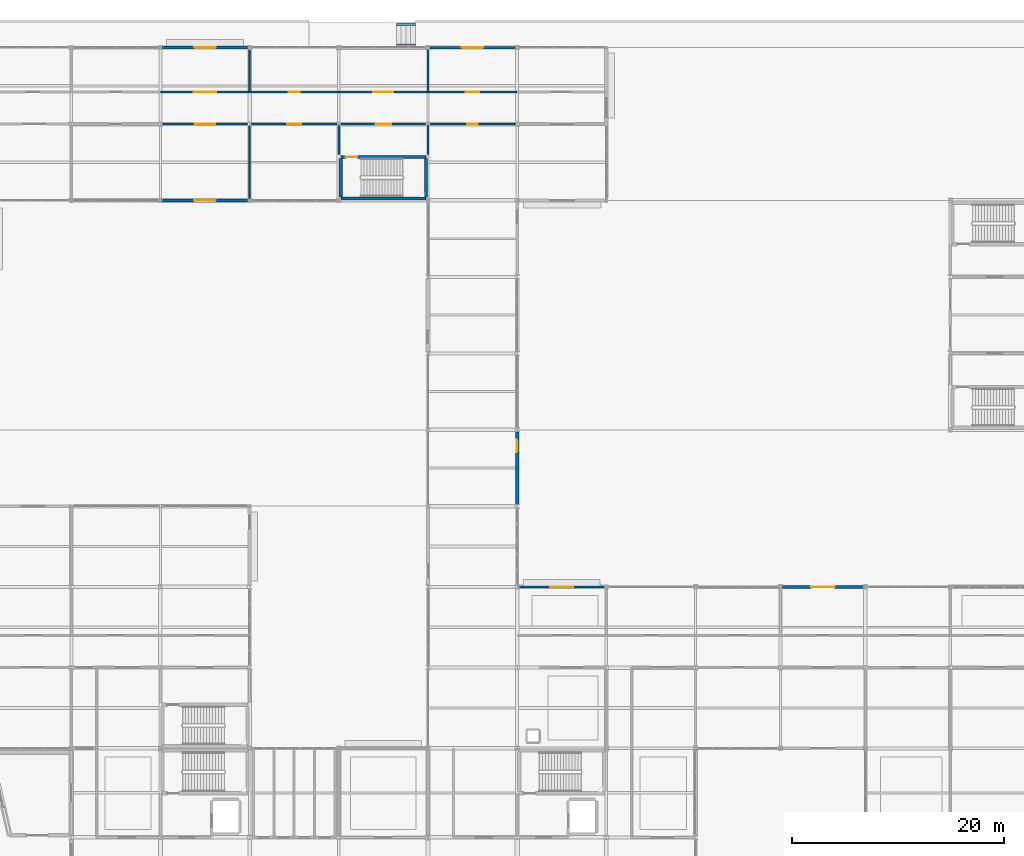
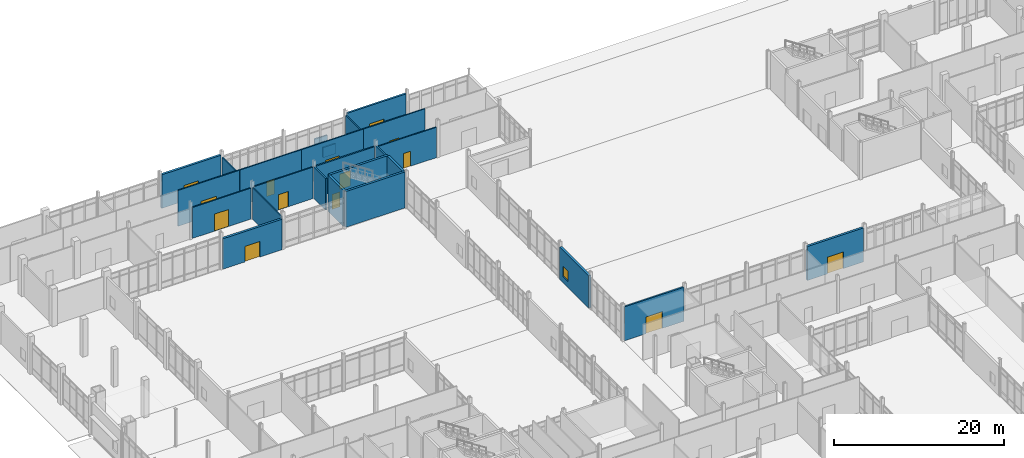
# One storey, part 196 of 229: 25 walls, 14 doors, 1 window, 15 openings.
"""IFC4 building model written with IfcOpenShell, lengths in metres."""

from ifc_helpers import new_model, si_unit, direction, frame, frame_2d, origin, place, context, subcontext, project, spatial, rectangle, extrude, material, layer, layer_set, type_object, element, fill, save


model = new_model("IFC4")

# Units and contexts
model_context = context("Model", 3, precision=1e-05, world=origin(), true_north=direction((0.0, 1.0)))
body_context = subcontext(model_context, "Body", "Model", "MODEL_VIEW")
ifc_project = project(units=[si_unit("LENGTHUNIT", "METRE"), si_unit("AREAUNIT", "SQUARE_METRE"), si_unit("VOLUMEUNIT", "CUBIC_METRE"), si_unit("PLANEANGLEUNIT", "RADIAN"), si_unit("MASSUNIT", "GRAM", prefix="KILO")], contexts=[model_context])

# Site, building, storey
site_placement = place(None, origin())
site = spatial("IfcSite", under=ifc_project, at=site_placement, CompositionType="ELEMENT")
building_placement = place(site_placement, origin())
building = spatial("IfcBuilding", under=site, at=building_placement, Name="Calvrana Isthmian Art Gallery", CompositionType="ELEMENT")
storey_placement = place(building_placement, origin())
storey = spatial("IfcBuildingStorey", under=building, at=storey_placement, Name="L00", CompositionType="ELEMENT", Elevation=0.0)

# Wall
ifc_material_1 = material(Name="Concrete C40/50", Category="concrete")
ifc_layer_1 = layer(ifc_material_1, 0.300048828125, Name="Concrete C40/50")
ifc_layer_set_1 = layer_set([ifc_layer_1], Name="Concrete C40/50")
wall_type_1 = type_object("IfcWallType", Name="CW-SHAFT-300", PredefinedType="SHEAR", material=ifc_layer_set_1)
wall_1_placement = place(storey_placement, frame((46.989990234375, 98.60009765625, 0.0), z_axis=(0.0, 0.0, 1.0), x_axis=(1.0, 0.0, 0.0)))
element("IfcWall", 1, at=wall_1_placement, inside=storey, type_object=wall_type_1, Name="Core C6 shear wall S L00", PredefinedType="SHEAR", context=body_context, shape_type="SweptSolid", body=[
    extrude(rectangle(XDim=8.02001953125, YDim=0.300048828125, at=frame_2d((4.010009765625, 0.0))), origin(), (0.0, 0.0, 1.0), 5.159912109375),
])

# Wall, opening, door
wall_2_placement = place(storey_placement, frame((46.989990234375, 102.5, 0.0), z_axis=(0.0, 0.0, 1.0), x_axis=(1.0, 0.0, 0.0)))
wall_2 = element("IfcWall", 2, at=wall_2_placement, inside=storey, type_object=wall_type_1, Name="Core C6 shear wall N L00", PredefinedType="SHEAR", context=body_context, shape_type="SweptSolid", body=[
    extrude(rectangle(XDim=8.02001953125, YDim=0.300048828125, at=frame_2d((4.010009765625, 0.0))), origin(), (0.0, 0.0, 1.0), 5.159912109375),
])
opening_1_placement = place(wall_2_placement, frame((0.449951171875, 0.0, 0.0)))
opening_1 = element("IfcOpeningElement", 3, at=opening_1_placement, cuts=wall_2, Name="Opening D-168", PredefinedType="OPENING", context=body_context, shape_type="SweptSolid", body=[
    extrude(rectangle(XDim=1.10009765625, YDim=2.14990234375, at=frame_2d((0.550048828125, 1.074951171875))), frame((0.0, 0.16015625, 0.0), z_axis=(0.0, -1.0, 0.0), x_axis=(1.0, 0.0, 0.0)), (0.0, 0.0, 1.0), 0.320556640625),
])
ifc_material_2 = material(Name="Steel ASTM A572 Gr 50", Category="steel")
door_type_1 = type_object("IfcDoorType", Name="DR-FIRE-1100", OperationType="NOTDEFINED", PredefinedType="DOOR", material=ifc_material_2)
door_1_placement = place(opening_1_placement, origin())
door_1 = element("IfcDoor", 4, at=door_1_placement, inside=storey, type_object=door_type_1, Name="Stair ST-6 fire door L00", OperationType="SINGLE_SWING_LEFT", OverallHeight=2.14990234375, OverallWidth=1.10009765625, PredefinedType="DOOR", context=body_context, shape_type="SweptSolid", body=[
    extrude(rectangle(XDim=1.10009765625, YDim=2.14990234375, at=frame_2d((0.550048828125, 1.074951171875))), frame((0.0, 0.02490234375, 0.0), z_axis=(0.0, -1.0, 0.0), x_axis=(1.0, 0.0, 0.0)), (0.0, 0.0, 1.0), 0.050048828125),
])
fill(opening_1, door_1)

# Walls
for number, where, z_axis, x_axis, name in (
    (5, (46.989990234375, 98.75, 0.0), (0.0, 0.0, 1.0), (0.0, 1.0, 0.0), "Core C6 shear wall W L00"),
    (6, (55.010009765625, 98.75, 0.0), (0.0, 0.0, 1.0), (0.0, 1.0, 0.0), "Core C6 shear wall E L00"),
):
    element("IfcWall", number, at=place(storey_placement, frame(where, z_axis=z_axis, x_axis=x_axis)), inside=storey, type_object=wall_type_1, Name=name, PredefinedType="SHEAR", context=body_context, shape_type="SweptSolid", body=[
        extrude(rectangle(XDim=3.60009765625, YDim=0.300048828125, at=frame_2d((1.800048828125, 0.0))), origin(), (0.0, 0.0, 1.0), 5.159912109375),
    ])

# Wall, opening, door
ifc_material_3 = material(Name="Precast concrete C40/50", Category="concrete")
ifc_layer_2 = layer(ifc_material_3, 0.219970703125, Name="Precast concrete C40/50")
ifc_layer_set_2 = layer_set([ifc_layer_2], Name="Precast concrete C40/50")
wall_type_2 = type_object("IfcWallType", Name="EW-ACOUST-220", PredefinedType="SOLIDWALL", material=ifc_layer_set_2)
wall_3_placement = place(storey_placement, frame((63.785400390625, 62.0, 0.0), z_axis=(0.0, 0.0, 1.0), x_axis=(1.0, 0.0, 0.0)))
wall_3 = element("IfcWall", 7, at=wall_3_placement, inside=storey, type_object=wall_type_2, Name="Exterior wall EW-015", PredefinedType="SOLIDWALL", context=body_context, shape_type="SweptSolid", body=[
    extrude(rectangle(XDim=8.030517578125, YDim=0.219970703125, at=frame_2d((4.01513671875, 0.0))), origin(), (0.0, 0.0, 1.0), 4.885986328125),
])
opening_2_placement = place(wall_3_placement, frame((2.915283203125, 0.0, 0.0)))
opening_2 = element("IfcOpeningElement", 8, at=opening_2_placement, cuts=wall_3, Name="Opening D-E08", PredefinedType="OPENING", context=body_context, shape_type="SweptSolid", body=[
    extrude(rectangle(XDim=2.199951171875, YDim=2.39990234375, at=frame_2d((1.10009765625, 1.199951171875))), frame((0.0, 0.1201171875, 0.0), z_axis=(0.0, -1.0, 0.0), x_axis=(1.0, 0.0, 0.0)), (0.0, 0.0, 1.0), 0.240478515625),
])
ifc_material_4 = material(Name="Anodized bronze aluminium 6063-T6", Category="aluminium")
door_type_2 = type_object("IfcDoorType", Name="DR-EXT-MAIN-2200", OperationType="DOUBLE_DOOR_SINGLE_SWING", PredefinedType="DOOR", material=ifc_material_4)
door_2_placement = place(opening_2_placement, origin())
door_2 = element("IfcDoor", 9, at=door_2_placement, inside=storey, type_object=door_type_2, Name="Main entrance pedestrian exit D-E08", OperationType="DOUBLE_DOOR_SINGLE_SWING", OverallHeight=2.39990234375, OverallWidth=2.199951171875, PredefinedType="DOOR", context=body_context, shape_type="SweptSolid", body=[
    extrude(rectangle(XDim=2.199951171875, YDim=2.39990234375, at=frame_2d((1.10009765625, 1.199951171875))), frame((0.0, 0.02490234375, 0.0), z_axis=(0.0, -1.0, 0.0), x_axis=(1.0, 0.0, 0.0)), (0.0, 0.0, 1.0), 0.050048828125),
])
fill(opening_2, door_2)

ifc_material_5 = material(Name="Pale Isthmian limestone", Category="masonry")
ifc_layer_3 = layer(ifc_material_5, 0.300048828125, Name="Pale Isthmian limestone")
ifc_layer_set_3 = layer_set([ifc_layer_3], Name="Pale Isthmian limestone")
wall_type_3 = type_object("IfcWallType", Name="EW-LIME-300", PredefinedType="SOLIDWALL", material=ifc_layer_set_3)
wall_4_placement = place(storey_placement, frame((88.58642578125, 62.0, 0.0), z_axis=(0.0, 0.0, 1.0), x_axis=(1.0, 0.0, 0.0)))
wall_4 = element("IfcWall", 10, at=wall_4_placement, inside=storey, type_object=wall_type_3, Name="Exterior wall EW-016", PredefinedType="SOLIDWALL", context=body_context, shape_type="SweptSolid", body=[
    extrude(rectangle(XDim=7.628173828125, YDim=0.300048828125, at=frame_2d((3.81396484375, 0.0))), origin(), (0.0, 0.0, 1.0), 4.885986328125),
])
opening_3_placement = place(wall_4_placement, frame((2.714111328125, 0.0, 0.0)))
opening_3 = element("IfcOpeningElement", 11, at=opening_3_placement, cuts=wall_4, Name="Opening D-E09", PredefinedType="OPENING", context=body_context, shape_type="SweptSolid", body=[
    extrude(rectangle(XDim=2.199951171875, YDim=2.39990234375, at=frame_2d((1.10009765625, 1.199951171875))), frame((0.0, 0.16015625, 0.0), z_axis=(0.0, -1.0, 0.0), x_axis=(1.0, 0.0, 0.0)), (0.0, 0.0, 1.0), 0.320556640625),
])
door_3_placement = place(opening_3_placement, origin())
door_3 = element("IfcDoor", 12, at=door_3_placement, inside=storey, type_object=door_type_2, Name="Main entrance pedestrian exit D-E09", OperationType="DOUBLE_DOOR_SINGLE_SWING", OverallHeight=2.39990234375, OverallWidth=2.199951171875, PredefinedType="DOOR", context=body_context, shape_type="SweptSolid", body=[
    extrude(rectangle(XDim=2.199951171875, YDim=2.39990234375, at=frame_2d((1.10009765625, 1.199951171875))), frame((0.0, 0.02490234375, 0.0), z_axis=(0.0, -1.0, 0.0), x_axis=(1.0, 0.0, 0.0)), (0.0, 0.0, 1.0), 0.050048828125),
])
fill(opening_3, door_3)

wall_5_placement = place(storey_placement, frame((38.214599609375, 98.39990234375, 0.0), z_axis=(0.0, 0.0, 1.0), x_axis=(-1.0, 0.0, 0.0)))
wall_5 = element("IfcWall", 13, at=wall_5_placement, inside=storey, type_object=wall_type_3, Name="Exterior wall EW-020", PredefinedType="SOLIDWALL", context=body_context, shape_type="SweptSolid", body=[
    extrude(rectangle(XDim=8.028076171875, YDim=0.300048828125, at=frame_2d((4.01416015625, 0.0))), origin(), (0.0, 0.0, 1.0), 4.3779296875),
])
opening_4_placement = place(wall_5_placement, frame((3.013916015625, 0.0, 0.0)))
opening_4 = element("IfcOpeningElement", 14, at=opening_4_placement, cuts=wall_5, Name="Opening D-E13", PredefinedType="OPENING", context=body_context, shape_type="SweptSolid", body=[
    extrude(rectangle(XDim=2.0, YDim=2.25, at=frame_2d((1.0, 1.125))), frame((0.0, 0.16015625, 0.0), z_axis=(0.0, -1.0, 0.0), x_axis=(1.0, 0.0, 0.0)), (0.0, 0.0, 1.0), 0.320556640625),
])
door_type_3 = type_object("IfcDoorType", Name="DR-EXT-EXIT-2000", OperationType="DOUBLE_DOOR_SINGLE_SWING", PredefinedType="DOOR", material=ifc_material_2)
door_4_placement = place(opening_4_placement, origin())
door_4 = element("IfcDoor", 15, at=door_4_placement, inside=storey, type_object=door_type_3, Name="Main entrance pedestrian exit D-E13", OperationType="DOUBLE_DOOR_SINGLE_SWING", OverallHeight=2.25, OverallWidth=2.0, PredefinedType="DOOR", context=body_context, shape_type="SweptSolid", body=[
    extrude(rectangle(XDim=2.0, YDim=2.25, at=frame_2d((1.0, 1.125))), frame((0.0, 0.02490234375, 0.0), z_axis=(0.0, -1.0, 0.0), x_axis=(1.0, 0.0, 0.0)), (0.0, 0.0, 1.0), 0.050048828125),
])
fill(opening_4, door_4)

wall_6_placement = place(storey_placement, frame((30.18408203125, 112.800048828125, 0.0), z_axis=(0.0, 0.0, 1.0), x_axis=(1.0, 0.0, 0.0)))
wall_6 = element("IfcWall", 16, at=wall_6_placement, inside=storey, type_object=wall_type_3, Name="Exterior wall EW-024", PredefinedType="SOLIDWALL", context=body_context, shape_type="SweptSolid", body=[
    extrude(rectangle(XDim=8.029296875, YDim=0.300048828125, at=frame_2d((4.0146484375, 0.0))), origin(), (0.0, 0.0, 1.0), 4.835205078125),
])
opening_5_placement = place(wall_6_placement, frame((3.014892578125, 0.0, 0.0)))
opening_5 = element("IfcOpeningElement", 17, at=opening_5_placement, cuts=wall_6, Name="Opening D-E15", PredefinedType="OPENING", context=body_context, shape_type="SweptSolid", body=[
    extrude(rectangle(XDim=2.0, YDim=2.25, at=frame_2d((1.0, 1.125))), frame((0.0, 0.16015625, 0.0), z_axis=(0.0, -1.0, 0.0), x_axis=(1.0, 0.0, 0.0)), (0.0, 0.0, 1.0), 0.320556640625),
])
door_5_placement = place(opening_5_placement, origin())
door_5 = element("IfcDoor", 18, at=door_5_placement, inside=storey, type_object=door_type_3, Name="Main entrance pedestrian exit D-E15", OperationType="DOUBLE_DOOR_SINGLE_SWING", OverallHeight=2.25, OverallWidth=2.0, PredefinedType="DOOR", context=body_context, shape_type="SweptSolid", body=[
    extrude(rectangle(XDim=2.0, YDim=2.25, at=frame_2d((1.0, 1.125))), frame((0.0, 0.02490234375, 0.0), z_axis=(0.0, -1.0, 0.0), x_axis=(1.0, 0.0, 0.0)), (0.0, 0.0, 1.0), 0.050048828125),
])
fill(opening_5, door_5)

# Wall, opening, window
wall_7_placement = place(storey_placement, frame((63.60009765625, 76.613525390625, 0.0), z_axis=(0.0, 0.0, 1.0), x_axis=(0.0, -1.0, 0.0)))
wall_7 = element("IfcWall", 19, at=wall_7_placement, inside=storey, type_object=wall_type_3, Name="Exterior wall EW-040", PredefinedType="SOLIDWALL", context=body_context, shape_type="SweptSolid", body=[
    extrude(rectangle(XDim=6.82958984375, YDim=0.300048828125, at=frame_2d((3.414794921875, 0.0))), origin(), (0.0, 0.0, 1.0), 4.677978515625),
])
opening_6_placement = place(wall_7_placement, frame((0.75, 0.0, 0.89990234375)))
opening_6 = element("IfcOpeningElement", 20, at=opening_6_placement, cuts=wall_7, Name="Opening W-012", PredefinedType="OPENING", context=body_context, shape_type="SweptSolid", body=[
    extrude(rectangle(XDim=1.199951171875, YDim=1.5, at=frame_2d((0.60009765625, 0.75))), frame((0.0, 0.16015625, 0.0), z_axis=(0.0, -1.0, 0.0), x_axis=(1.0, 0.0, 0.0)), (0.0, 0.0, 1.0), 0.320556640625),
])
ifc_material_6 = material(Name="Low-E laminated solar glass", Category="glass")
window_type = type_object("IfcWindowType", Name="WN-G01", PartitioningType="SINGLE_PANEL", PredefinedType="WINDOW", material=ifc_material_6)
window_placement = place(opening_6_placement, origin())
window = element("IfcWindow", 21, at=window_placement, inside=storey, type_object=window_type, Name="Facade window W-012", OverallHeight=1.5, OverallWidth=1.199951171875, PartitioningType="SINGLE_PANEL", PredefinedType="WINDOW", context=body_context, shape_type="SweptSolid", body=[
    extrude(rectangle(XDim=1.199951171875, YDim=1.5, at=frame_2d((0.60009765625, 0.75))), frame((0.0, 0.030029296875, 0.0), z_axis=(0.0, -1.0, 0.0), x_axis=(1.0, 0.0, 0.0)), (0.0, 0.0, 1.0), 0.06005859375),
])
fill(opening_6, window)

# Wall, opening, door
ifc_material_7 = material(Name="Polychrome glazed terracotta", Category="masonry")
ifc_layer_4 = layer(ifc_material_7, 0.25, Name="Polychrome glazed terracotta")
ifc_layer_set_4 = layer_set([ifc_layer_4], Name="Polychrome glazed terracotta")
wall_type_4 = type_object("IfcWallType", Name="EW-TERRA-250", PredefinedType="SOLIDWALL", material=ifc_layer_set_4)
wall_8_placement = place(storey_placement, frame((55.385498046875, 112.800048828125, 0.0), z_axis=(0.0, 0.0, 1.0), x_axis=(1.0, 0.0, 0.0)))
wall_8 = element("IfcWall", 22, at=wall_8_placement, inside=storey, type_object=wall_type_4, Name="Exterior wall EW-025", PredefinedType="SOLIDWALL", context=body_context, shape_type="SweptSolid", body=[
    extrude(rectangle(XDim=8.030517578125, YDim=0.25, at=frame_2d((4.01513671875, 0.0))), origin(), (0.0, 0.0, 1.0), 4.835205078125),
])
opening_7_placement = place(wall_8_placement, frame((3.01513671875, 0.0, 0.0)))
opening_7 = element("IfcOpeningElement", 23, at=opening_7_placement, cuts=wall_8, Name="Opening D-E16", PredefinedType="OPENING", context=body_context, shape_type="SweptSolid", body=[
    extrude(rectangle(XDim=2.0, YDim=2.25, at=frame_2d((1.0, 1.125))), frame((0.0, 0.13525390625, 0.0), z_axis=(0.0, -1.0, 0.0), x_axis=(1.0, 0.0, 0.0)), (0.0, 0.0, 1.0), 0.2705078125),
])
door_6_placement = place(opening_7_placement, origin())
door_6 = element("IfcDoor", 24, at=door_6_placement, inside=storey, type_object=door_type_3, Name="Main entrance pedestrian exit D-E16", OperationType="DOUBLE_DOOR_SINGLE_SWING", OverallHeight=2.25, OverallWidth=2.0, PredefinedType="DOOR", context=body_context, shape_type="SweptSolid", body=[
    extrude(rectangle(XDim=2.0, YDim=2.25, at=frame_2d((1.0, 1.125))), frame((0.0, 0.02490234375, 0.0), z_axis=(0.0, -1.0, 0.0), x_axis=(1.0, 0.0, 0.0)), (0.0, 0.0, 1.0), 0.050048828125),
])
fill(opening_7, door_6)

# Walls
ifc_material_8 = material(Name="Acoustic gypsum ceiling", Category="gypsum")
ifc_layer_5 = layer(ifc_material_8, 0.199951171875, Name="Acoustic gypsum ceiling")
ifc_layer_set_5 = layer_set([ifc_layer_5], Name="Acoustic gypsum ceiling")
wall_type_5 = type_object("IfcWallType", Name="PW-FIRE-200", PredefinedType="PARTITIONING", material=ifc_layer_set_5)
wall_9_placement = place(storey_placement, frame((46.800048828125, 102.719970703125, 0.0), z_axis=(0.0, 0.0, 1.0), x_axis=(0.0, 1.0, 0.0)))
element("IfcWall", 25, at=wall_9_placement, inside=storey, type_object=wall_type_5, Name="Core C6 lobby W closure L00", PredefinedType="PARTITIONING", context=body_context, shape_type="SweptSolid", body=[
    extrude(rectangle(XDim=2.860107421875, YDim=0.199951171875, at=frame_2d((1.43017578125, 0.0))), origin(), (0.0, 0.0, 1.0), 4.532958984375),
])
wall_10_placement = place(storey_placement, frame((55.199951171875, 102.719970703125, 0.0), z_axis=(0.0, 0.0, 1.0), x_axis=(0.0, 1.0, 0.0)))
element("IfcWall", 26, at=wall_10_placement, inside=storey, type_object=wall_type_5, Name="Core C6 lobby E closure L00", PredefinedType="PARTITIONING", context=body_context, shape_type="SweptSolid", body=[
    extrude(rectangle(XDim=2.860107421875, YDim=0.199951171875, at=frame_2d((1.43017578125, 0.0))), origin(), (0.0, 0.0, 1.0), 4.60693359375),
])

# Wall, opening, door
wall_11_placement = place(storey_placement, frame((47.02001953125, 105.60009765625, 0.0), z_axis=(0.0, 0.0, 1.0), x_axis=(1.0, 0.0, 0.0)))
wall_11 = element("IfcWall", 27, at=wall_11_placement, inside=storey, type_object=wall_type_5, Name="Core C6 lobby enclosure L00", PredefinedType="PARTITIONING", context=body_context, shape_type="SweptSolid", body=[
    extrude(rectangle(XDim=7.9599609375, YDim=0.199951171875, at=frame_2d((3.97998046875, 0.0))), origin(), (0.0, 0.0, 1.0), 4.528076171875),
])
opening_8_placement = place(wall_11_placement, frame((3.2548828125, 0.0, 0.0)))
opening_8 = element("IfcOpeningElement", 28, at=opening_8_placement, cuts=wall_11, Name="Opening D-169", PredefinedType="OPENING", context=body_context, shape_type="SweptSolid", body=[
    extrude(rectangle(XDim=1.449951171875, YDim=2.199951171875, at=frame_2d((0.72509765625, 1.10009765625))), frame((0.0, 0.1103515625, 0.0), z_axis=(0.0, -1.0, 0.0), x_axis=(1.0, 0.0, 0.0)), (0.0, 0.0, 1.0), 0.220458984375),
])
door_type_4 = type_object("IfcDoorType", Name="DR-LOBBY-1450", OperationType="DOUBLE_DOOR_SINGLE_SWING", PredefinedType="DOOR", material=ifc_material_2)
door_7_placement = place(opening_8_placement, origin())
door_7 = element("IfcDoor", 29, at=door_7_placement, inside=storey, type_object=door_type_4, Name="Core C6 lobby fire door L00", OperationType="DOUBLE_DOOR_SINGLE_SWING", OverallHeight=2.199951171875, OverallWidth=1.449951171875, PredefinedType="DOOR", context=body_context, shape_type="SweptSolid", body=[
    extrude(rectangle(XDim=1.449951171875, YDim=2.199951171875, at=frame_2d((0.72509765625, 1.10009765625))), frame((0.0, 0.02490234375, 0.0), z_axis=(0.0, -1.0, 0.0), x_axis=(1.0, 0.0, 0.0)), (0.0, 0.0, 1.0), 0.050048828125),
])
fill(opening_8, door_7)

ifc_layer_6 = layer(ifc_material_8, 0.159912109375, Name="Acoustic gypsum ceiling")
ifc_layer_set_6 = layer_set([ifc_layer_6], Name="Acoustic gypsum ceiling")
wall_type_6 = type_object("IfcWallType", Name="PW-GAL-160", PredefinedType="PARTITIONING", material=ifc_layer_set_6)
wall_12_placement = place(storey_placement, frame((30.201416015625, 105.60009765625, 0.0), z_axis=(0.0, 0.0, 1.0), x_axis=(1.0, 0.0, 0.0)))
wall_12 = element("IfcWall", 30, at=wall_12_placement, inside=storey, type_object=wall_type_6, Name="Interior partition PW-275", PredefinedType="PARTITIONING", context=body_context, shape_type="SweptSolid", body=[
    extrude(rectangle(XDim=7.9970703125, YDim=0.159912109375, at=frame_2d((3.99853515625, 0.0))), origin(), (0.0, 0.0, 1.0), 4.447021484375),
])
opening_9_placement = place(wall_12_placement, frame((3.048583984375, 0.0, 0.0)))
opening_9 = element("IfcOpeningElement", 31, at=opening_9_placement, cuts=wall_12, Name="Opening D-333", PredefinedType="OPENING", context=body_context, shape_type="SweptSolid", body=[
    extrude(rectangle(XDim=1.89990234375, YDim=2.449951171875, at=frame_2d((0.949951171875, 1.22509765625))), frame((0.0, 0.09033203125, 0.0), z_axis=(0.0, -1.0, 0.0), x_axis=(1.0, 0.0, 0.0)), (0.0, 0.0, 1.0), 0.180419921875),
])
ifc_material_9 = material(Name="Timber gallery flooring", Category="wood")
door_type_5 = type_object("IfcDoorType", Name="DR-GAL-1900", OperationType="DOUBLE_DOOR_SINGLE_SWING", PredefinedType="DOOR", material=ifc_material_9)
door_8_placement = place(opening_9_placement, origin())
door_8 = element("IfcDoor", 32, at=door_8_placement, inside=storey, type_object=door_type_5, Name="Interior door D-333", OperationType="DOUBLE_DOOR_SINGLE_SWING", OverallHeight=2.449951171875, OverallWidth=1.89990234375, PredefinedType="DOOR", context=body_context, shape_type="SweptSolid", body=[
    extrude(rectangle(XDim=1.89990234375, YDim=2.449951171875, at=frame_2d((0.949951171875, 1.22509765625))), frame((0.0, 0.02490234375, 0.0), z_axis=(0.0, -1.0, 0.0), x_axis=(1.0, 0.0, 0.0)), (0.0, 0.0, 1.0), 0.050048828125),
])
fill(opening_9, door_8)

# Wall
wall_13_placement = place(storey_placement, frame((38.39990234375, 98.596435546875, 0.0), z_axis=(0.0, 0.0, 1.0), x_axis=(0.0, 1.0, 0.0)))
element("IfcWall", 33, at=wall_13_placement, inside=storey, type_object=wall_type_6, Name="Interior partition PW-276", PredefinedType="PARTITIONING", context=body_context, shape_type="SweptSolid", body=[
    extrude(rectangle(XDim=6.804443359375, YDim=0.159912109375, at=frame_2d((3.40234375, 0.0))), origin(), (0.0, 0.0, 1.0), 4.528076171875),
])

# Wall, opening, door
wall_14_placement = place(storey_placement, frame((38.6015625, 105.60009765625, 0.0), z_axis=(0.0, 0.0, 1.0), x_axis=(1.0, 0.0, 0.0)))
wall_14 = element("IfcWall", 34, at=wall_14_placement, inside=storey, type_object=wall_type_6, Name="Interior partition PW-277", PredefinedType="PARTITIONING", context=body_context, shape_type="SweptSolid", body=[
    extrude(rectangle(XDim=7.998046875, YDim=0.159912109375, at=frame_2d((3.9990234375, 0.0))), origin(), (0.0, 0.0, 1.0), 4.51806640625),
])
opening_10_placement = place(wall_14_placement, frame((3.34912109375, 0.0, 0.0)))
opening_10 = element("IfcOpeningElement", 35, at=opening_10_placement, cuts=wall_14, Name="Opening D-334", PredefinedType="OPENING", context=body_context, shape_type="SweptSolid", body=[
    extrude(rectangle(XDim=1.300048828125, YDim=2.199951171875, at=frame_2d((0.64990234375, 1.10009765625))), frame((0.0, 0.09033203125, 0.0), z_axis=(0.0, -1.0, 0.0), x_axis=(1.0, 0.0, 0.0)), (0.0, 0.0, 1.0), 0.180419921875),
])
door_type_6 = type_object("IfcDoorType", Name="DR-RM-1300", OperationType="NOTDEFINED", PredefinedType="DOOR", material=ifc_material_9)
door_9_placement = place(opening_10_placement, origin())
door_9 = element("IfcDoor", 36, at=door_9_placement, inside=storey, type_object=door_type_6, Name="Interior door D-334", OperationType="SINGLE_SWING_LEFT", OverallHeight=2.199951171875, OverallWidth=1.300048828125, PredefinedType="DOOR", context=body_context, shape_type="SweptSolid", body=[
    extrude(rectangle(XDim=1.300048828125, YDim=2.199951171875, at=frame_2d((0.64990234375, 1.10009765625))), frame((0.0, 0.02490234375, 0.0), z_axis=(0.0, -1.0, 0.0), x_axis=(1.0, 0.0, 0.0)), (0.0, 0.0, 1.0), 0.050048828125),
])
fill(opening_10, door_9)

wall_15_placement = place(storey_placement, frame((55.39892578125, 105.60009765625, 0.0), z_axis=(0.0, 0.0, 1.0), x_axis=(1.0, 0.0, 0.0)))
wall_15 = element("IfcWall", 37, at=wall_15_placement, inside=storey, type_object=wall_type_6, Name="Interior partition PW-278", PredefinedType="PARTITIONING", context=body_context, shape_type="SweptSolid", body=[
    extrude(rectangle(XDim=7.99951171875, YDim=0.159912109375, at=frame_2d((3.999755859375, 0.0))), origin(), (0.0, 0.0, 1.0), 4.3779296875),
])
opening_11_placement = place(wall_15_placement, frame((3.499755859375, 0.0, 0.0)))
opening_11 = element("IfcOpeningElement", 38, at=opening_11_placement, cuts=wall_15, Name="Opening D-335", PredefinedType="OPENING", context=body_context, shape_type="SweptSolid", body=[
    extrude(rectangle(XDim=1.0, YDim=2.14990234375, at=frame_2d((0.5, 1.074951171875))), frame((0.0, 0.09033203125, 0.0), z_axis=(0.0, -1.0, 0.0), x_axis=(1.0, 0.0, 0.0)), (0.0, 0.0, 1.0), 0.180419921875),
])
door_type_7 = type_object("IfcDoorType", Name="DR-RM-1000", OperationType="NOTDEFINED", PredefinedType="DOOR", material=ifc_material_9)
door_10_placement = place(opening_11_placement, origin())
door_10 = element("IfcDoor", 39, at=door_10_placement, inside=storey, type_object=door_type_7, Name="Interior door D-335", OperationType="SINGLE_SWING_RIGHT", OverallHeight=2.14990234375, OverallWidth=1.0, PredefinedType="DOOR", context=body_context, shape_type="SweptSolid", body=[
    extrude(rectangle(XDim=1.0, YDim=2.14990234375, at=frame_2d((0.5, 1.074951171875))), frame((0.0, 0.02490234375, 0.0), z_axis=(0.0, -1.0, 0.0), x_axis=(1.0, 0.0, 0.0)), (0.0, 0.0, 1.0), 0.050048828125),
])
fill(opening_11, door_10)

wall_16_placement = place(storey_placement, frame((30.010009765625, 108.610107421875, 0.0), z_axis=(0.0, 0.0, 1.0), x_axis=(1.0, 0.0, 0.0)))
wall_16 = element("IfcWall", 40, at=wall_16_placement, inside=storey, type_object=wall_type_6, Name="Interior partition PW-286", PredefinedType="PARTITIONING", context=body_context, shape_type="SweptSolid", body=[
    extrude(rectangle(XDim=8.3798828125, YDim=0.159912109375, at=frame_2d((4.18994140625, 0.0))), origin(), (0.0, 0.0, 1.0), 5.139892578125),
])
opening_12_placement = place(wall_16_placement, frame((3.139892578125, 0.0, 0.0)))
opening_12 = element("IfcOpeningElement", 41, at=opening_12_placement, cuts=wall_16, Name="Opening D-341", PredefinedType="OPENING", context=body_context, shape_type="SweptSolid", body=[
    extrude(rectangle(XDim=2.10009765625, YDim=2.5, at=frame_2d((1.050048828125, 1.25))), frame((0.0, 0.09033203125, 0.0), z_axis=(0.0, -1.0, 0.0), x_axis=(1.0, 0.0, 0.0)), (0.0, 0.0, 1.0), 0.180419921875),
])
door_type_8 = type_object("IfcDoorType", Name="DR-GAL-2100", OperationType="DOUBLE_DOOR_SINGLE_SWING", PredefinedType="DOOR", material=ifc_material_9)
door_11_placement = place(opening_12_placement, origin())
door_11 = element("IfcDoor", 42, at=door_11_placement, inside=storey, type_object=door_type_8, Name="Interior door D-341", OperationType="DOUBLE_DOOR_SINGLE_SWING", OverallHeight=2.5, OverallWidth=2.10009765625, PredefinedType="DOOR", context=body_context, shape_type="SweptSolid", body=[
    extrude(rectangle(XDim=2.10009765625, YDim=2.5, at=frame_2d((1.050048828125, 1.25))), frame((0.0, 0.02490234375, 0.0), z_axis=(0.0, -1.0, 0.0), x_axis=(1.0, 0.0, 0.0)), (0.0, 0.0, 1.0), 0.050048828125),
])
fill(opening_12, door_11)

# Wall
wall_17_placement = place(storey_placement, frame((38.39990234375, 108.6201171875, 0.0), z_axis=(0.0, 0.0, 1.0), x_axis=(0.0, 1.0, 0.0)))
element("IfcWall", 43, at=wall_17_placement, inside=storey, type_object=wall_type_6, Name="Interior partition PW-287", PredefinedType="PARTITIONING", context=body_context, shape_type="SweptSolid", body=[
    extrude(rectangle(XDim=3.978271484375, YDim=0.159912109375, at=frame_2d((1.9892578125, 0.0))), origin(), (0.0, 0.0, 1.0), 4.532958984375),
])

# Wall, opening, door
wall_18_placement = place(storey_placement, frame((38.409912109375, 108.610107421875, 0.0), z_axis=(0.0, 0.0, 1.0), x_axis=(1.0, 0.0, 0.0)))
wall_18 = element("IfcWall", 44, at=wall_18_placement, inside=storey, type_object=wall_type_6, Name="Interior partition PW-288", PredefinedType="PARTITIONING", context=body_context, shape_type="SweptSolid", body=[
    extrude(rectangle(XDim=8.380126953125, YDim=0.159912109375, at=frame_2d((4.18994140625, 0.0))), origin(), (0.0, 0.0, 1.0), 5.139892578125),
])
opening_13_placement = place(wall_18_placement, frame((3.6650390625, 0.0, 0.0)))
opening_13 = element("IfcOpeningElement", 45, at=opening_13_placement, cuts=wall_18, Name="Opening D-342", PredefinedType="OPENING", context=body_context, shape_type="SweptSolid", body=[
    extrude(rectangle(XDim=1.050048828125, YDim=2.14990234375, at=frame_2d((0.52490234375, 1.074951171875))), frame((0.0, 0.09033203125, 0.0), z_axis=(0.0, -1.0, 0.0), x_axis=(1.0, 0.0, 0.0)), (0.0, 0.0, 1.0), 0.180419921875),
])
door_type_9 = type_object("IfcDoorType", Name="DR-RM-1050", OperationType="NOTDEFINED", PredefinedType="DOOR", material=ifc_material_9)
door_12_placement = place(opening_13_placement, origin())
door_12 = element("IfcDoor", 46, at=door_12_placement, inside=storey, type_object=door_type_9, Name="Interior door D-342", OperationType="SINGLE_SWING_RIGHT", OverallHeight=2.14990234375, OverallWidth=1.050048828125, PredefinedType="DOOR", context=body_context, shape_type="SweptSolid", body=[
    extrude(rectangle(XDim=1.050048828125, YDim=2.14990234375, at=frame_2d((0.52490234375, 1.074951171875))), frame((0.0, 0.02490234375, 0.0), z_axis=(0.0, -1.0, 0.0), x_axis=(1.0, 0.0, 0.0)), (0.0, 0.0, 1.0), 0.050048828125),
])
fill(opening_13, door_12)

wall_19_placement = place(storey_placement, frame((46.81005859375, 108.610107421875, 0.0), z_axis=(0.0, 0.0, 1.0), x_axis=(1.0, 0.0, 0.0)))
wall_19 = element("IfcWall", 47, at=wall_19_placement, inside=storey, type_object=wall_type_6, Name="Interior partition PW-289", PredefinedType="PARTITIONING", context=body_context, shape_type="SweptSolid", body=[
    extrude(rectangle(XDim=8.3798828125, YDim=0.159912109375, at=frame_2d((4.18994140625, 0.0))), origin(), (0.0, 0.0, 1.0), 5.139892578125),
])
opening_14_placement = place(wall_19_placement, frame((3.239990234375, 0.0, 0.0)))
opening_14 = element("IfcOpeningElement", 48, at=opening_14_placement, cuts=wall_19, Name="Opening D-343", PredefinedType="OPENING", context=body_context, shape_type="SweptSolid", body=[
    extrude(rectangle(XDim=1.89990234375, YDim=2.449951171875, at=frame_2d((0.949951171875, 1.22509765625))), frame((0.0, 0.09033203125, 0.0), z_axis=(0.0, -1.0, 0.0), x_axis=(1.0, 0.0, 0.0)), (0.0, 0.0, 1.0), 0.180419921875),
])
door_13_placement = place(opening_14_placement, origin())
door_13 = element("IfcDoor", 49, at=door_13_placement, inside=storey, type_object=door_type_5, Name="Interior door D-343", OperationType="DOUBLE_DOOR_SINGLE_SWING", OverallHeight=2.449951171875, OverallWidth=1.89990234375, PredefinedType="DOOR", context=body_context, shape_type="SweptSolid", body=[
    extrude(rectangle(XDim=1.89990234375, YDim=2.449951171875, at=frame_2d((0.949951171875, 1.22509765625))), frame((0.0, 0.02490234375, 0.0), z_axis=(0.0, -1.0, 0.0), x_axis=(1.0, 0.0, 0.0)), (0.0, 0.0, 1.0), 0.050048828125),
])
fill(opening_14, door_13)

# Wall
wall_20_placement = place(storey_placement, frame((55.199951171875, 108.6201171875, 0.0), z_axis=(0.0, 0.0, 1.0), x_axis=(0.0, 1.0, 0.0)))
element("IfcWall", 50, at=wall_20_placement, inside=storey, type_object=wall_type_6, Name="Interior partition PW-290", PredefinedType="PARTITIONING", context=body_context, shape_type="SweptSolid", body=[
    extrude(rectangle(XDim=3.9833984375, YDim=0.159912109375, at=frame_2d((1.99169921875, 0.0))), origin(), (0.0, 0.0, 1.0), 4.677978515625),
])

# Wall, opening, door
wall_21_placement = place(storey_placement, frame((55.2099609375, 108.610107421875, 0.0), z_axis=(0.0, 0.0, 1.0), x_axis=(1.0, 0.0, 0.0)))
wall_21 = element("IfcWall", 51, at=wall_21_placement, inside=storey, type_object=wall_type_6, Name="Interior partition PW-291", PredefinedType="PARTITIONING", context=body_context, shape_type="SweptSolid", body=[
    extrude(rectangle(XDim=8.380126953125, YDim=0.159912109375, at=frame_2d((4.18994140625, 0.0))), origin(), (0.0, 0.0, 1.0), 5.139892578125),
])
opening_15_placement = place(wall_21_placement, frame((3.5400390625, 0.0, 0.0)))
opening_15 = element("IfcOpeningElement", 52, at=opening_15_placement, cuts=wall_21, Name="Opening D-344", PredefinedType="OPENING", context=body_context, shape_type="SweptSolid", body=[
    extrude(rectangle(XDim=1.300048828125, YDim=2.199951171875, at=frame_2d((0.64990234375, 1.10009765625))), frame((0.0, 0.09033203125, 0.0), z_axis=(0.0, -1.0, 0.0), x_axis=(1.0, 0.0, 0.0)), (0.0, 0.0, 1.0), 0.180419921875),
])
door_14_placement = place(opening_15_placement, origin())
door_14 = element("IfcDoor", 53, at=door_14_placement, inside=storey, type_object=door_type_6, Name="Interior door D-344", OperationType="SINGLE_SWING_LEFT", OverallHeight=2.199951171875, OverallWidth=1.300048828125, PredefinedType="DOOR", context=body_context, shape_type="SweptSolid", body=[
    extrude(rectangle(XDim=1.300048828125, YDim=2.199951171875, at=frame_2d((0.64990234375, 1.10009765625))), frame((0.0, 0.02490234375, 0.0), z_axis=(0.0, -1.0, 0.0), x_axis=(1.0, 0.0, 0.0)), (0.0, 0.0, 1.0), 0.050048828125),
])
fill(opening_15, door_14)

# Walls
ifc_layer_7 = layer(ifc_material_5, 0.199951171875, Name="Pale Isthmian limestone")
ifc_layer_set_7 = layer_set([ifc_layer_7], Name="Pale Isthmian limestone")
wall_type_7 = type_object("IfcWallType", Name="WL-PARA-200", PredefinedType="PARAPET", material=ifc_layer_set_7)
for number, where, z_axis, x_axis, name in (
    (54, (52.239990234375, 114.989990234375, -0.60009765625), (0.0, 0.0, 1.0), (1.0, 0.0, 0.0), "Exterior terrace plinth cheek parapet L"),
    (55, (52.239990234375, 113.010009765625, -0.60009765625), (0.0, 0.0, 1.0), (1.0, 0.0, 0.0), "Exterior terrace plinth cheek parapet R"),
):
    element("IfcWall", number, at=place(storey_placement, frame(where, z_axis=z_axis, x_axis=x_axis)), inside=storey, type_object=wall_type_7, Name=name, PredefinedType="PARAPET", context=body_context, shape_type="SweptSolid", body=[
        extrude(rectangle(XDim=1.760009765625, YDim=0.199951171875, at=frame_2d((0.8798828125, 0.0))), origin(), (0.0, 0.0, 1.0), 1.4501953125),
    ])

save(model, "model.ifc")
